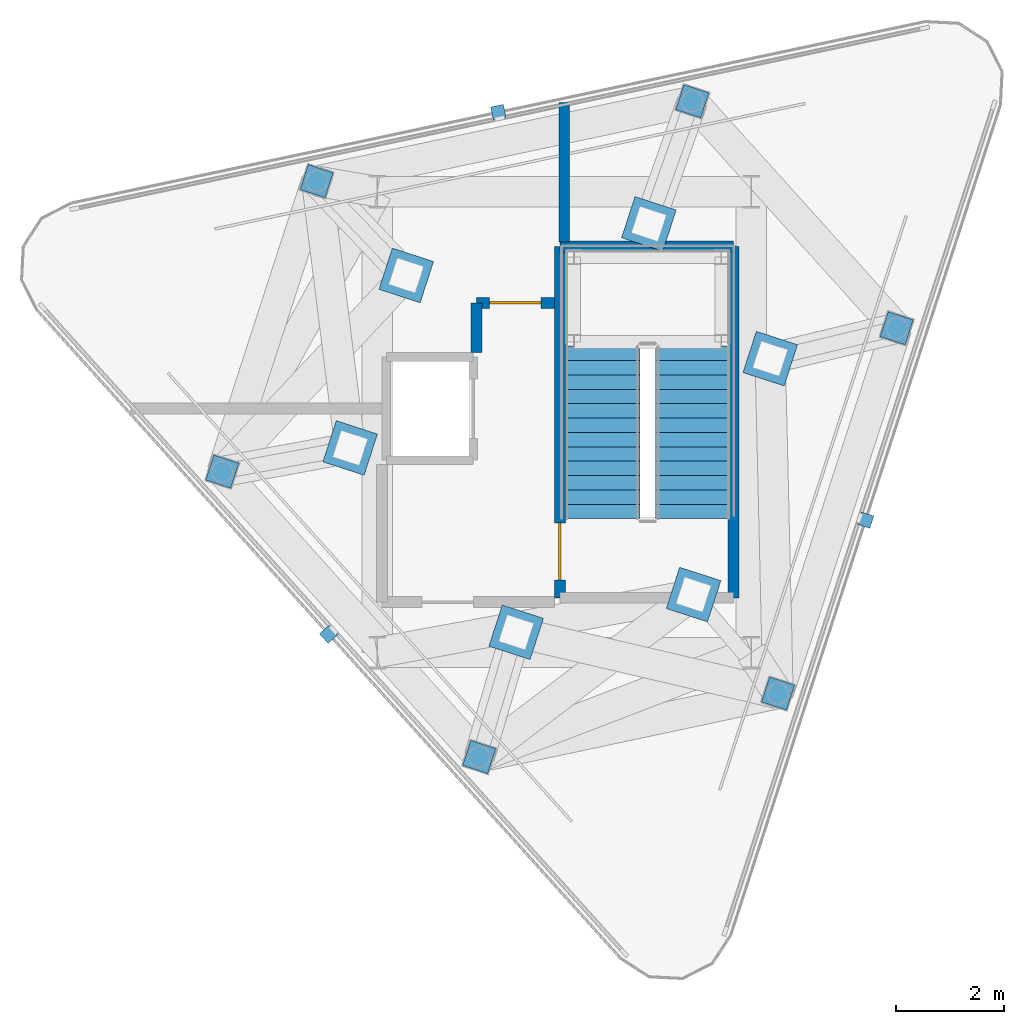
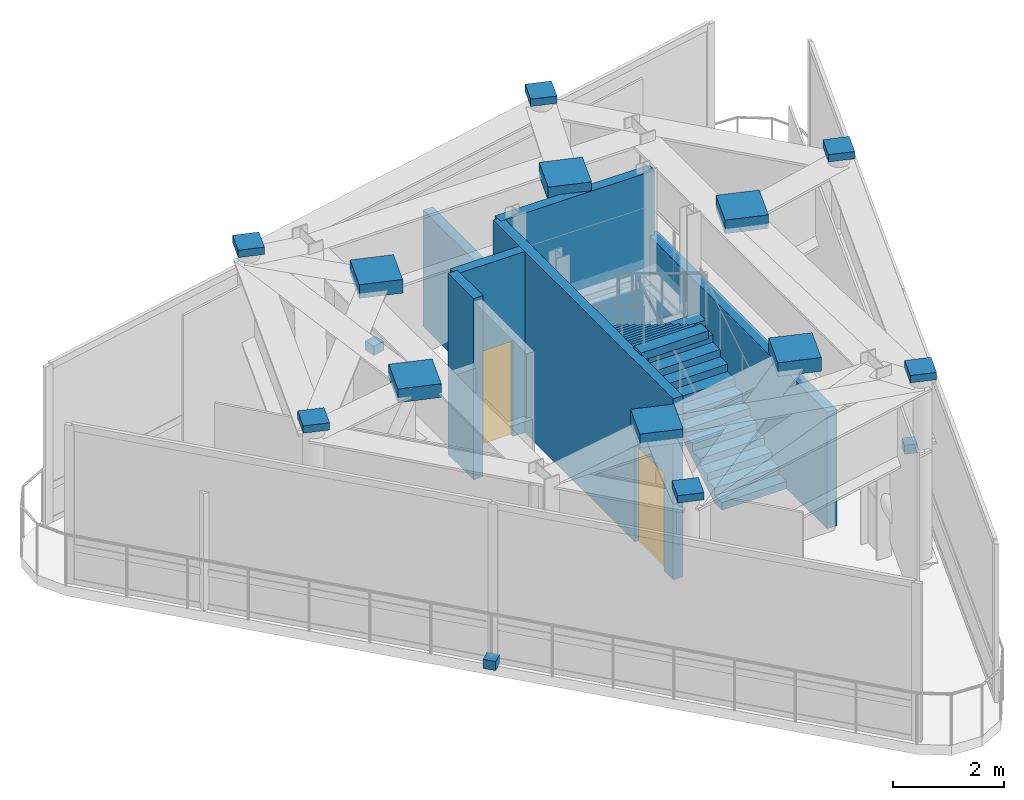
# One storey, part 3 of 4: 15 discrete accessories, 6 walls, 2 doors, 2 stair flights, 2 openings, 1 element without a shape of its own.
"""IFC4 building model written with IfcOpenShell, lengths in metres."""

from ifc_helpers import new_model, si_unit, direction, frame, frame_2d, origin, origin_2d, place, context, subcontext, project, spatial, polyline, rectangle, outline, extrude, material, layer, layer_set, type_object, element, fill, aggregate, save


model = new_model("IFC4")

# Units and contexts
model_context = context("Model", 3, precision=1e-05, world=origin(), true_north=direction((0.0, 1.0)))
body_context = subcontext(model_context, "Body", "Model", "MODEL_VIEW")
ifc_project = project(units=[si_unit("LENGTHUNIT", "METRE"), si_unit("AREAUNIT", "SQUARE_METRE"), si_unit("VOLUMEUNIT", "CUBIC_METRE"), si_unit("PLANEANGLEUNIT", "RADIAN"), si_unit("MASSUNIT", "GRAM", prefix="KILO")], contexts=[model_context])

# Site, building, storey
site_placement = place(None, origin())
site = spatial("IfcSite", under=ifc_project, at=site_placement, CompositionType="ELEMENT")
building_placement = place(site_placement, origin())
building = spatial("IfcBuilding", under=site, at=building_placement, Name="Terralouvre Media Tower", CompositionType="ELEMENT")
storey_placement = place(building_placement, frame((0.0, 0.0, 335.0)))
storey = spatial("IfcBuildingStorey", under=building, at=storey_placement, Name="L86", CompositionType="ELEMENT", Elevation=335.0)

# Walls
ifc_material_1 = material(Name="Fire-rated gypsum board drywall partition")
ifc_layer = layer(ifc_material_1, 0.199951171875, Name="Fire-Rated Shaft and Lobby Partition FW-200")
ifc_layer_set = layer_set([ifc_layer], Name="Fire-rated gypsum board drywall partition")
wall_type = type_object("IfcWallType", Name="Fire-Rated Shaft and Lobby Partition FW-200", PredefinedType="SOLIDWALL", material=ifc_layer_set)
wall_1_placement = place(storey_placement, frame((3.1201171875, -3.239990234375, 0.0), z_axis=(0.0, 0.0, 1.0), x_axis=(0.0, 1.0, 0.0)))
element("IfcWall", 1, at=wall_1_placement, inside=storey, type_object=wall_type, Name="L86 ST05 Stair Shaft Wall E", PredefinedType="SOLIDWALL", context=body_context, shape_type="SweptSolid", body=[
    extrude(rectangle(XDim=6.47998046875, YDim=0.199951171875, at=frame_2d((3.239990234375, 0.0))), origin(), (0.0, 0.0, 1.0), 2.56494140625),
])
wall_2_placement = place(storey_placement, frame((3.1201171875, 3.239990234375, 0.0), z_axis=(0.0, 0.0, 1.0), x_axis=(-1.0, 0.0, 0.0)))
element("IfcWall", 2, at=wall_2_placement, inside=storey, type_object=wall_type, Name="L86 ST05 Stair Shaft Wall N", PredefinedType="SOLIDWALL", context=body_context, shape_type="SweptSolid", body=[
    extrude(rectangle(XDim=3.2001953125, YDim=0.199951171875, at=frame_2d((1.60009765625, 0.0))), origin(), (0.0, 0.0, 1.0), 3.97998046875),
])

# Wall, opening, door
wall_3_placement = place(storey_placement, frame((-0.080078125, 3.239990234375, 0.0), z_axis=(0.0, 0.0, 1.0), x_axis=(0.0, -1.0, 0.0)))
wall_3 = element("IfcWall", 3, at=wall_3_placement, inside=storey, type_object=wall_type, Name="L86 ST05 Stair Shaft Wall W", PredefinedType="SOLIDWALL", context=body_context, shape_type="SweptSolid", body=[
    extrude(rectangle(XDim=6.47998046875, YDim=0.199951171875, at=frame_2d((3.239990234375, 0.0))), origin(), (0.0, 0.0, 1.0), 3.97998046875),
])
opening_1_placement = place(wall_3_placement, frame((5.10009765625, 0.0, 0.0)))
opening_1 = element("IfcOpeningElement", 4, at=opening_1_placement, cuts=wall_3, Name="Opening FD-01-105X215", PredefinedType="OPENING", context=body_context, shape_type="SweptSolid", body=[
    extrude(rectangle(XDim=1.050048828125, YDim=2.14990234375, at=frame_2d((0.52490234375, 1.074951171875))), frame((0.0, 0.10986328125, 0.0), z_axis=(0.0, -1.0, 0.0), x_axis=(1.0, 0.0, 0.0)), (0.0, 0.0, 1.0), 0.219970703125),
])
ifc_material_2 = material(Name="Galvanised steel fire-resisting leaf", Category="steel")
door_type_1 = type_object("IfcDoorType", Name="Stair and Firefighting Lobby Fire Door FD-01 (1050x2150)", OperationType="NOTDEFINED", PredefinedType="DOOR", material=ifc_material_2)
door_1_placement = place(opening_1_placement, origin())
door_1 = element("IfcDoor", 5, at=door_1_placement, inside=storey, type_object=door_type_1, Name="L86 ST05 Pressurised Stair Door", OperationType="SINGLE_SWING_LEFT", OverallHeight=2.14990234375, OverallWidth=1.050048828125, PredefinedType="DOOR", context=body_context, shape_type="SweptSolid", body=[
    extrude(rectangle(XDim=1.050048828125, YDim=2.14990234375, at=frame_2d((0.52490234375, 1.074951171875))), frame((0.0, 0.02490234375, 0.0), z_axis=(0.0, -1.0, 0.0), x_axis=(1.0, 0.0, 0.0)), (0.0, 0.0, 1.0), 0.050048828125),
])
fill(opening_1, door_1)

wall_4_placement = place(storey_placement, frame((-0.179931640625, 2.199951171875, 0.0), z_axis=(0.0, 0.0, 1.0), x_axis=(-1.0, 0.0, 0.0)))
wall_4 = element("IfcWall", 6, at=wall_4_placement, inside=storey, type_object=wall_type, Name="L86 Interior Partition 003", PredefinedType="SOLIDWALL", context=body_context, shape_type="SweptSolid", body=[
    extrude(rectangle(XDim=1.440185546875, YDim=0.199951171875, at=frame_2d((0.72021484375, 0.0))), origin(), (0.0, 0.0, 1.0), 3.97998046875),
])
opening_2_placement = place(wall_4_placement, frame((0.2451171875, 0.0, 0.0)))
opening_2 = element("IfcOpeningElement", 7, at=opening_2_placement, cuts=wall_4, Name="Opening FD-02-95X210", PredefinedType="OPENING", context=body_context, shape_type="SweptSolid", body=[
    extrude(rectangle(XDim=0.949951171875, YDim=2.10009765625, at=frame_2d((0.47509765625, 1.050048828125))), frame((0.0, 0.10986328125, 0.0), z_axis=(0.0, -1.0, 0.0), x_axis=(1.0, 0.0, 0.0)), (0.0, 0.0, 1.0), 0.219970703125),
])
ifc_material_3 = material(Name="Galvanised steel fire-resisting leaf", Category="steel")
door_type_2 = type_object("IfcDoorType", Name="Plant and Riser Fire Door FD-02 (950x2100)", OperationType="NOTDEFINED", PredefinedType="DOOR", material=ifc_material_3)
door_2_placement = place(opening_2_placement, origin())
door_2 = element("IfcDoor", 8, at=door_2_placement, inside=storey, type_object=door_type_2, Name="L86 L86 Upper Switchgear Electrical Equipment Room Door", OperationType="SINGLE_SWING_LEFT", OverallHeight=2.10009765625, OverallWidth=0.949951171875, PredefinedType="DOOR", context=body_context, shape_type="SweptSolid", body=[
    extrude(rectangle(XDim=0.949951171875, YDim=2.10009765625, at=frame_2d((0.47509765625, 1.050048828125))), frame((0.0, 0.02490234375, 0.0), z_axis=(0.0, -1.0, 0.0), x_axis=(1.0, 0.0, 0.0)), (0.0, 0.0, 1.0), 0.050048828125),
])
fill(opening_2, door_2)

# Walls
wall_5_placement = place(storey_placement, frame((-1.6201171875, 2.199951171875, 0.0), z_axis=(0.0, 0.0, 1.0), x_axis=(0.0, -1.0, 0.0)))
element("IfcWall", 9, at=wall_5_placement, inside=storey, type_object=wall_type, Name="L86 Interior Partition 004", PredefinedType="SOLIDWALL", context=body_context, shape_type="SweptSolid", body=[
    extrude(rectangle(XDim=0.919921875, YDim=0.199951171875, at=frame_2d((0.4599609375, 0.0))), origin(), (0.0, 0.0, 1.0), 3.97998046875),
])
wall_6_placement = place(storey_placement, frame((0.0, 5.896484375, 0.0), z_axis=(0.0, 0.0, 1.0), x_axis=(0.0, -1.0, 0.0)))
element("IfcWall", 10, at=wall_6_placement, inside=storey, type_object=wall_type, Name="L86 Interior Partition 006", PredefinedType="SOLIDWALL", context=body_context, shape_type="SweptSolid", body=[
    extrude(rectangle(XDim=2.576416015625, YDim=0.199951171875, at=frame_2d((1.2880859375, 0.0))), origin(), (0.0, 0.0, 1.0), 2.56494140625),
])

# Stair, stair flights
ifc_material_4 = material(Name="Concrete C45/55", Category="concrete")
stair_type = type_object("IfcStairType", Name="Dogleg Stair Assembly ST-05", PredefinedType="HALF_TURN_STAIR", material=ifc_material_4)
stair_placement = place(storey_placement, origin())
stair = element("IfcStair", 11, at=stair_placement, inside=storey, type_object=stair_type, Name="L86 Crown Maintenance Stair ST-05", PredefinedType="HALF_TURN_STAIR")
ifc_material_5 = material(Name="Concrete C45/55", Category="concrete")
stair_flight_type = type_object("IfcStairFlightType", Name="Reinforced Concrete Stair Flight SF-RC1", PredefinedType="STRAIGHT", material=ifc_material_5)
stair_flight_1_placement = place(storey_placement, frame((2.3798828125, -1.780029296875, 0.0), z_axis=(0.0, 0.0, 1.0), x_axis=(0.0, 1.0, 0.0)))
stair_flight_1 = element("IfcStairFlight", 12, at=stair_flight_1_placement, type_object=stair_flight_type, Name="ST-05 flight 1", NumberOfRisers=13, NumberOfTreads=12, PredefinedType="STRAIGHT", RiserHeight=0.161538462, TreadLength=0.265, context=body_context, shape_type="SweptSolid", body=[
    extrude(outline(polyline([(0.0, 0.0), (0.0, 0.16162109375), (0.264892578125, 0.16162109375), (0.264892578125, 0.322998046875), (0.530029296875, 0.322998046875), (0.530029296875, 0.484619140625), (0.794921875, 0.484619140625), (0.794921875, 0.646240234375), (1.06005859375, 0.646240234375), (1.06005859375, 0.8076171875), (1.324951171875, 0.8076171875), (1.324951171875, 0.96923828125), (1.590087890625, 0.96923828125), (1.590087890625, 1.130859375), (1.85498046875, 1.130859375), (1.85498046875, 1.292236328125), (2.1201171875, 1.292236328125), (2.1201171875, 1.453857421875), (2.385009765625, 1.453857421875), (2.385009765625, 1.615478515625), (2.64990234375, 1.615478515625), (2.64990234375, 1.77685546875), (2.9150390625, 1.77685546875), (2.9150390625, 1.9384765625), (3.179931640625, 1.9384765625), (3.179931640625, 2.10009765625), (3.179931640625, 1.762939453125), (0.2880859375, 0.0), (0.0, 0.0)])), frame((0.0, 0.699951171875, 0.0), z_axis=(0.0, -1.0, 0.0), x_axis=(1.0, 0.0, 0.0)), (0.0, 0.0, 1.0), 1.39990234375),
])
stair_flight_2_placement = place(storey_placement, frame((0.699951171875, 1.39990234375, 2.10009765625), z_axis=(0.0, 0.0, 1.0), x_axis=(0.0, -1.0, 0.0)))
stair_flight_2 = element("IfcStairFlight", 13, at=stair_flight_2_placement, type_object=stair_flight_type, Name="ST-05 flight 2", NumberOfRisers=13, NumberOfTreads=12, PredefinedType="STRAIGHT", RiserHeight=0.161538462, TreadLength=0.265, context=body_context, shape_type="SweptSolid", body=[
    extrude(outline(polyline([(0.0, 0.0), (0.0, 0.16162109375), (0.264892578125, 0.16162109375), (0.264892578125, 0.322998046875), (0.530029296875, 0.322998046875), (0.530029296875, 0.484619140625), (0.794921875, 0.484619140625), (0.794921875, 0.646240234375), (1.06005859375, 0.646240234375), (1.06005859375, 0.8076171875), (1.324951171875, 0.8076171875), (1.324951171875, 0.96923828125), (1.590087890625, 0.96923828125), (1.590087890625, 1.130859375), (1.85498046875, 1.130859375), (1.85498046875, 1.292236328125), (2.1201171875, 1.292236328125), (2.1201171875, 1.453857421875), (2.385009765625, 1.453857421875), (2.385009765625, 1.615478515625), (2.64990234375, 1.615478515625), (2.64990234375, 1.77685546875), (2.9150390625, 1.77685546875), (2.9150390625, 1.9384765625), (3.179931640625, 1.9384765625), (3.179931640625, 2.10009765625), (3.179931640625, 1.762939453125), (0.2880859375, 0.0), (0.0, 0.0)])), frame((0.0, 0.699951171875, 0.0), z_axis=(0.0, -1.0, 0.0), x_axis=(1.0, 0.0, 0.0)), (0.0, 0.0, 1.0), 1.39990234375),
])
aggregate(stair, [stair_flight_1, stair_flight_2])

# Discrete accessories
ifc_material_6 = material(Name="Structural steel S460M", Category="steel")
discrete_accessory_type_1 = type_object("IfcDiscreteAccessoryType", Name="Hollow Steel Section Welded End Cap EC-01", PredefinedType="BRACKET", material=ifc_material_6)
for number, where, z_axis, x_axis, name in (
    (14, (3.94384765625, -5.005615234375, 4.16015625), (0.0, 0.0, 1.0), (0.309016994375, 0.951056516295, 0.0), "L86 Hollow Column Welded End Cap CC11"),
    (15, (6.1328125, 1.731689453125, 4.16015625), (0.0, 0.0, 1.0), (0.309016994375, 0.951056516295, 0.0), "L86 Hollow Column Welded End Cap CC12"),
    (16, (2.363037109375, 5.918212890625, 4.16015625), (0.0, 0.0, 1.0), (0.309016994375, 0.951056516295, 0.0), "L86 Hollow Column Welded End Cap CC21"),
    (17, (-4.566162109375, 4.445556640625, 4.16015625), (0.0, 0.0, 1.0), (0.309016994375, 0.951056516295, 0.0), "L86 Hollow Column Welded End Cap CC22"),
    (18, (-6.306884765625, -0.91259765625, 4.16015625), (0.0, 0.0, 1.0), (0.309016994375, 0.951056516295, 0.0), "L86 Hollow Column Welded End Cap CC31"),
    (19, (-1.56689453125, -6.177001953125, 4.16015625), (0.0, 0.0, 1.0), (0.309016994375, 0.951056516295, 0.0), "L86 Hollow Column Welded End Cap CC32"),
):
    element("IfcDiscreteAccessory", number, at=place(storey_placement, frame(where, z_axis=z_axis, x_axis=x_axis)), inside=storey, type_object=discrete_accessory_type_1, Name=name, PredefinedType="BRACKET", context=body_context, shape_type="SweptSolid", body=[
        extrude(rectangle(XDim=0.486328125, YDim=0.486328125, at=origin_2d()), origin(), (0.0, 0.0, 1.0), 0.159912109375),
    ])
for number, where, z_axis, x_axis, name in (
    (20, (2.385986328125, -3.180908203125, 3.8701171875), (0.0, 0.0, 1.0), (0.309016994375, 0.951056516295, 0.0), "L86 Crown Rib Top Welded End Cap 19"),
    (21, (3.800048828125, 1.171142578125, 3.8701171875), (0.0, 0.0, 1.0), (0.309016994375, 0.951056516295, 0.0), "L86 Crown Rib Top Welded End Cap 20"),
    (22, (1.561767578125, 3.65673828125, 3.8701171875), (0.0, 0.0, 1.0), (0.309016994375, 0.951056516295, 0.0), "L86 Crown Rib Top Welded End Cap 21"),
    (23, (-2.9140625, 2.70556640625, 3.8701171875), (0.0, 0.0, 1.0), (0.309016994375, 0.951056516295, 0.0), "L86 Crown Rib Top Welded End Cap 22"),
    (24, (-3.94775390625, -0.475830078125, 3.8701171875), (0.0, 0.0, 1.0), (0.309016994375, 0.951056516295, 0.0), "L86 Crown Rib Top Welded End Cap 23"),
    (25, (-0.885986328125, -3.87646484375, 3.8701171875), (0.0, 0.0, 1.0), (0.309016994375, 0.951056516295, 0.0), "L86 Crown Rib Top Welded End Cap 24"),
):
    element("IfcDiscreteAccessory", number, at=place(storey_placement, frame(where, z_axis=z_axis, x_axis=x_axis)), inside=storey, type_object=discrete_accessory_type_1, Name=name, PredefinedType="BRACKET", context=body_context, shape_type="SweptSolid", body=[
        extrude(rectangle(XDim=0.800048828125, YDim=0.800048828125, at=origin_2d()), origin(), (0.0, 0.0, 1.0), 0.300048828125),
    ])
ifc_material_7 = material(Name="Anodised extruded aluminium 6063-T6", Category="aluminium")
discrete_accessory_type_2 = type_object("IfcDiscreteAccessoryType", Name="Mullion Stand-Off Baguette Fixing Bracket BK-01", PredefinedType="BRACKET", material=ifc_material_7)
for number, where, z_axis, x_axis, name in (
    (26, (5.5615234375, -1.80712890625, -0.02001953125), (0.0, 0.0, 1.0), (0.3090168573, 0.951056560834, 0.0), "L86 Crown Panel Base Bracket F0"),
    (27, (-1.2158203125, 5.719970703125, -0.02001953125), (0.0, 0.0, 1.0), (-0.978147555117, -0.207911905429, 0.0), "L86 Crown Panel Base Bracket F1"),
    (28, (-4.345703125, -3.912841796875, -0.02001953125), (0.0, 0.0, 1.0), (0.66913073697, -0.743144707875, 0.0), "L86 Crown Panel Base Bracket F2"),
):
    element("IfcDiscreteAccessory", number, at=place(storey_placement, frame(where, z_axis=z_axis, x_axis=x_axis)), inside=storey, type_object=discrete_accessory_type_2, Name=name, PredefinedType="BRACKET", context=body_context, shape_type="SweptSolid", body=[
        extrude(rectangle(XDim=0.239990234375, YDim=0.239990234375, at=origin_2d()), origin(), (0.0, 0.0, 1.0), 0.199951171875),
    ])

save(model, "model.ifc")
